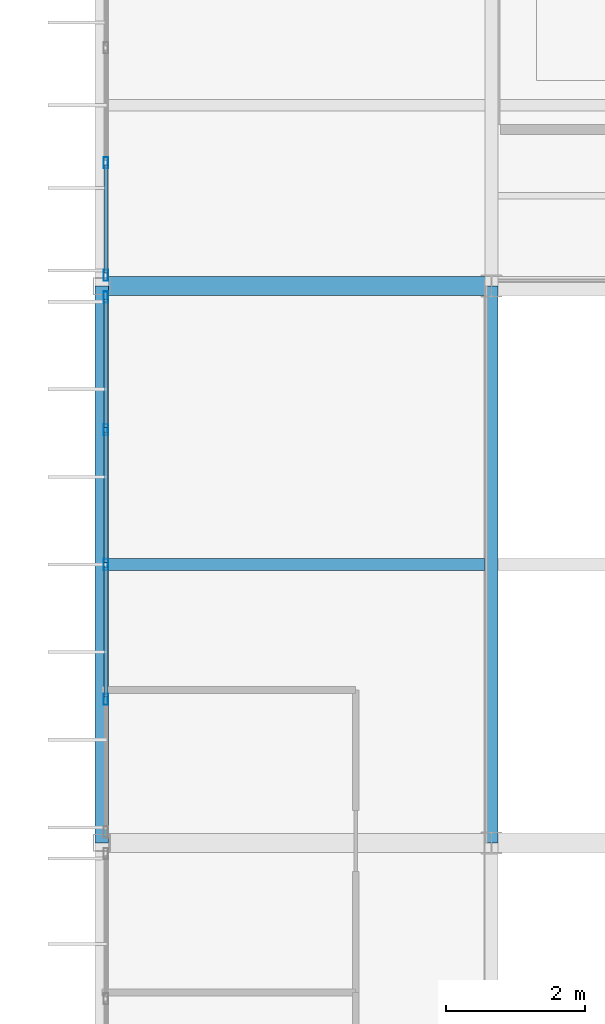
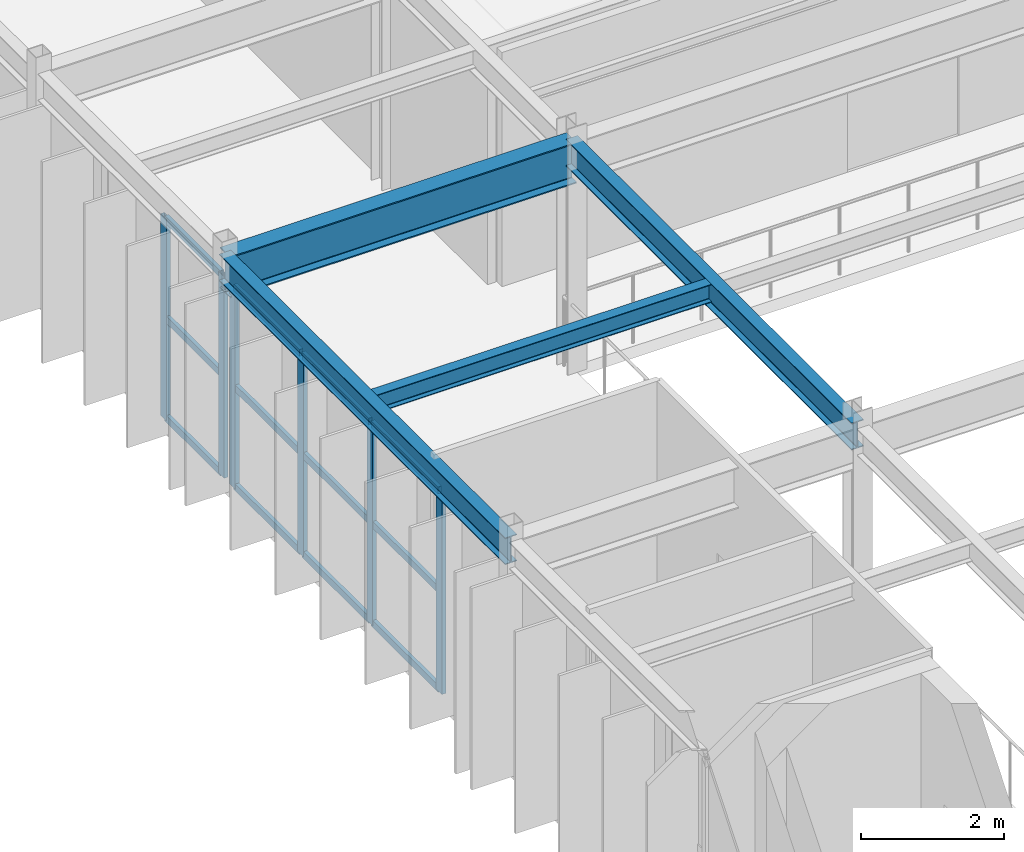
# One storey, part 36 of 148: 18 members, 4 beams, 2 elements without a shape of their own.
"""IFC4 building model written with IfcOpenShell, lengths in metres."""

import ifcopenshell
import ifcopenshell.guid

model = None  # the IFC model being written
_history = None  # IfcOwnerHistory: only IFC2X3 demands one
_inside = {}  # id of a spatial element -> (the spatial element, [elements in it])
_under = {}  # id of a project, library or spatial element -> (it, [spatial elements below it])
_declared = {}  # id of a project -> (the project, [libraries it declares])
_typed = {}  # id of a type object -> (the type object, [elements of that type])
_made_of = {}  # id of a material, layer set ... -> (it, [elements and type objects made of it])


def new_model(schema):
    """Start an empty IFC model of exactly this schema.

    Asked for "IFC4X3", IfcOpenShell would pick the latest addendum, in which some entities
    have other attributes; the version numbers below select the first issue.
    IFC2X3 requires an IfcOwnerHistory on every rooted entity: one is made here for all.
    """
    global model, _history
    if schema == "IFC4X3":
        model = ifcopenshell.file(schema_version=(4, 3, 0, 0))
    else:
        model = ifcopenshell.file(schema=schema)
    _inside.clear()
    _under.clear()
    _declared.clear()
    _typed.clear()
    _made_of.clear()
    _history = None
    if model.schema == "IFC2X3":
        org = make("IfcOrganization", Name="unknown")
        user = make(
            "IfcPersonAndOrganization",
            ThePerson=make("IfcPerson", FamilyName="unknown"),
            TheOrganization=org,
        )
        app = make(
            "IfcApplication",
            ApplicationDeveloper=org,
            Version="unknown",
            ApplicationFullName="unknown",
            ApplicationIdentifier="unknown",
        )
        _history = make(
            "IfcOwnerHistory",
            OwningUser=user,
            OwningApplication=app,
            ChangeAction="ADDED",
            CreationDate=0,
        )
    return model


def make(cls, **values):
    """One entity of the class cls with the attributes given. An attribute that is None is left unset."""
    return model.create_entity(
        cls, **{name: value for name, value in values.items() if value is not None}
    )


def rooted(cls, **values):
    """An entity with a GlobalId (a new one), such as an element, a storey or a relation."""
    return make(cls, GlobalId=ifcopenshell.guid.new(), OwnerHistory=_history, **values)


def si_unit(unit_type, name, prefix=None):
    """IfcSIUnit, for example si_unit("LENGTHUNIT", "METRE", prefix="MILLI")."""
    return make("IfcSIUnit", UnitType=unit_type, Prefix=prefix, Name=name)


def assignment(units):
    """IfcUnitAssignment: the units of a project."""
    return None if units is None else make("IfcUnitAssignment", Units=units)


def point(xyz):
    """IfcCartesianPoint."""
    return None if xyz is None else make("IfcCartesianPoint", Coordinates=xyz)


def direction(xyz):
    """IfcDirection."""
    return None if xyz is None else make("IfcDirection", DirectionRatios=xyz)


def frame(location, z_axis=None, x_axis=None):
    """IfcAxis2Placement3D, a coordinate frame: its origin and axes. An axis left out is left unset."""
    return make(
        "IfcAxis2Placement3D",
        Location=point(location),
        Axis=direction(z_axis),
        RefDirection=direction(x_axis),
    )


def frame_2d(location, x_axis=None):
    """IfcAxis2Placement2D, a coordinate frame in the plane: its origin and x axis."""
    return make(
        "IfcAxis2Placement2D", Location=point(location), RefDirection=direction(x_axis)
    )


def origin():
    """The frame at (0, 0, 0) with its axes left unset."""
    return frame((0.0, 0.0, 0.0))


def origin_2d():
    """The frame at (0, 0) in the plane with its x axis left unset."""
    return frame_2d((0.0, 0.0))


def place(relative_to, where):
    """IfcLocalPlacement: puts the frame where relative to a parent placement (None: the world)."""
    return make(
        "IfcLocalPlacement", PlacementRelTo=relative_to, RelativePlacement=where
    )


def context(
    kind, dimensions, precision=None, world=None, true_north=None, identifier=None
):
    """IfcGeometricRepresentationContext, for example the 3D "Model" context."""
    return make(
        "IfcGeometricRepresentationContext",
        ContextIdentifier=identifier,
        ContextType=kind,
        CoordinateSpaceDimension=dimensions,
        Precision=precision,
        WorldCoordinateSystem=world,
        TrueNorth=true_north,
    )


def subcontext(parent, identifier, kind, view, scale=None):
    """IfcGeometricRepresentationSubContext, for example "Body" below "Model"."""
    return make(
        "IfcGeometricRepresentationSubContext",
        ContextIdentifier=identifier,
        ContextType=kind,
        ParentContext=parent,
        TargetScale=scale,
        TargetView=view,
    )


def project(units=None, contexts=None):
    """IfcProject with its units and contexts."""
    return rooted(
        "IfcProject",
        Name="project",
        RepresentationContexts=contexts,
        UnitsInContext=assignment(units),
    )


def spatial(cls, under=None, at=None, **own):
    """A site, building, storey or space (cls), placed at a placement, below another one or the project."""
    s = rooted(cls, ObjectPlacement=at, **own)
    if under is not None:
        _under.setdefault(under.id(), (under, []))[1].append(s)
    return s


def profile(cls, at=None, kind="AREA", **sizes):
    """A parametric profile (cls). Its sizes go by their IFC names, for example OverallWidth=200.0."""
    return make(cls, ProfileType=kind, Position=at, **sizes)


def hollow_rectangle(**sizes):
    """IfcRectangleHollowProfileDef."""
    return profile("IfcRectangleHollowProfileDef", **sizes)


def i_section(**sizes):
    """IfcIShapeProfileDef."""
    return profile("IfcIShapeProfileDef", **sizes)


def extrude(swept, where, along, depth):
    """IfcExtrudedAreaSolid: the profile swept, set in the frame where, extruded along a direction by depth."""
    return make(
        "IfcExtrudedAreaSolid",
        SweptArea=swept,
        Position=where,
        ExtrudedDirection=direction(along),
        Depth=depth,
    )


def shape(context_of_items, identifier, shape_type, items):
    """IfcShapeRepresentation: the items that make up one representation, for example the "Body"."""
    return make(
        "IfcShapeRepresentation",
        ContextOfItems=context_of_items,
        RepresentationIdentifier=identifier,
        RepresentationType=shape_type,
        Items=items,
    )


def material(Name=None, Category=None):
    """IfcMaterial."""
    return make("IfcMaterial", Name=Name, Category=Category)


def material_profile(
    of_material, cross_section, Name=None, Category=None, Priority=None
):
    """IfcMaterialProfile: a cross section and its material."""
    return make(
        "IfcMaterialProfile",
        Name=Name,
        Material=of_material,
        Profile=cross_section,
        Priority=Priority,
        Category=Category,
    )


def profile_set(profiles, Name=None, composite=None):
    """IfcMaterialProfileSet."""
    return make(
        "IfcMaterialProfileSet",
        Name=Name,
        MaterialProfiles=profiles,
        CompositeProfile=composite,
    )


def made_of(thing, what):
    """Note that an element or type object is made of a material, layer set ...; save() writes the relation."""
    if what is not None:
        _made_of.setdefault(what.id(), (what, []))[1].append(thing)
    return thing


def type_object(cls, material=None, **own):
    """A type object (cls), such as IfcWallType, which elements share."""
    return made_of(rooted(cls, **own), material)


def element(
    cls,
    number,
    at=None,
    inside=None,
    cuts=None,
    type_object=None,
    material=None,
    context=None,
    identifier="Body",
    shape_type=None,
    held_by="IfcProductDefinitionShape",
    body=None,
    shapes=None,
    **own,
):
    """One element of the class cls, such as IfcWall. Its Tag is "e" and its number.

    at: its placement. inside: the storey or other place that contains it. cuts: it is an
    opening in that element (IfcRelVoidsElement). A single representation is given by context,
    identifier, shape_type and body (its items); several are given by shapes. held_by: the class
    of the entity that holds the representations. save() writes the other relations.
    """
    e = rooted(cls, Tag="e%d" % number, ObjectPlacement=at, **own)
    if body is not None:
        shapes = [shape(context, identifier, shape_type, body)]
    if shapes is not None:
        e.Representation = make(held_by, Representations=shapes)
    if inside is not None:
        _inside.setdefault(inside.id(), (inside, []))[1].append(e)
    if cuts is not None:
        rooted(
            "IfcRelVoidsElement", RelatingBuildingElement=cuts, RelatedOpeningElement=e
        )
    if type_object is not None:
        _typed.setdefault(type_object.id(), (type_object, []))[1].append(e)
    return made_of(e, material)


def aggregate(whole, parts):
    """IfcRelAggregates: a whole, such as a stair, and the parts it consists of."""
    return rooted("IfcRelAggregates", RelatingObject=whole, RelatedObjects=parts)


def save(model, path):
    """Write the relations noted so far, then the file.

    IfcRelAggregates (storeys below a building ...), IfcRelContainedInSpatialStructure (elements
    in a storey), IfcRelDefinesByType, IfcRelAssociatesMaterial and IfcRelDeclares: one each for
    every whole, place, type object, material and project.
    """
    for whole, parts in _under.values():
        aggregate(whole, parts)
    for where, things in _inside.values():
        rooted(
            "IfcRelContainedInSpatialStructure",
            RelatedElements=things,
            RelatingStructure=where,
        )
    for kind, things in _typed.values():
        rooted("IfcRelDefinesByType", RelatedObjects=things, RelatingType=kind)
    for what, things in _made_of.values():
        rooted("IfcRelAssociatesMaterial", RelatedObjects=things, RelatingMaterial=what)
    for by, libraries in _declared.values():
        rooted("IfcRelDeclares", RelatingContext=by, RelatedDefinitions=libraries)
    model.write(path)


model = new_model("IFC4")

# Units and contexts
model_context = context("Model", 3, precision=1e-05, world=origin(), true_north=direction((0.0, 1.0)))
body_context = subcontext(model_context, "Body", "Model", "MODEL_VIEW")
ifc_project = project(units=[si_unit("LENGTHUNIT", "METRE"), si_unit("AREAUNIT", "SQUARE_METRE"), si_unit("VOLUMEUNIT", "CUBIC_METRE"), si_unit("PLANEANGLEUNIT", "RADIAN"), si_unit("MASSUNIT", "GRAM", prefix="KILO")], contexts=[model_context])

# Site, building, storey
site_placement = place(None, origin())
site = spatial("IfcSite", under=ifc_project, at=site_placement, CompositionType="ELEMENT")
building_placement = place(site_placement, origin())
building = spatial("IfcBuilding", under=site, at=building_placement, Name="Karori Crest Natural Sciences Institute", CompositionType="ELEMENT")
storey_placement = place(building_placement, frame((0.0, 0.0, 4.89990234375)))
storey = spatial("IfcBuildingStorey", under=building, at=storey_placement, Name="L01", CompositionType="ELEMENT", Elevation=4.89990234375)

# Beams
ifc_material_1 = material(Name="Structural steel AS/NZS 3679.1 Grade 350", Category="steel")
ifc_material_profile_1 = material_profile(ifc_material_1, i_section(OverallWidth=0.27490234375, OverallDepth=0.699951171875, WebThickness=0.010009765625, FlangeThickness=0.02001953125, FilletRadius=0.013916015625, at=origin_2d()), Name="700WB150")
ifc_profile_set_1 = profile_set([ifc_material_profile_1], Name="Structural steel AS/NZS 3679.1 Grade 350")
beam_type_1 = type_object("IfcBeamType", Name="BT-03", PredefinedType="BEAM", material=ifc_profile_set_1)
beam_1_placement = place(storey_placement, frame((1.800048828125, 55.0, 3.570068359375), z_axis=(1.0, 0.0, 0.0), x_axis=(0.0, 1.0, 0.0)))
element("IfcBeam", 1, at=beam_1_placement, inside=storey, type_object=beam_type_1, Name="Beam B-1017", PredefinedType="BEAM", context=body_context, shape_type="SweptSolid", body=[
    extrude(i_section(OverallWidth=0.27490234375, OverallDepth=0.699951171875, WebThickness=0.010009765625, FlangeThickness=0.02001953125, FilletRadius=0.013916015625, at=origin_2d()), origin(), (0.0, 0.0, 1.0), 5.599853515625),
])
ifc_material_profile_2 = material_profile(ifc_material_1, i_section(OverallWidth=0.19091796875, OverallDepth=0.4599609375, WebThickness=0.010009765625, FlangeThickness=0.01611328125, FilletRadius=0.010986328125, at=origin_2d()), Name="460UB82.1")
ifc_profile_set_2 = profile_set([ifc_material_profile_2], Name="Structural steel AS/NZS 3679.1 Grade 350")
beam_type_2 = type_object("IfcBeamType", Name="BT-06", PredefinedType="BEAM", material=ifc_profile_set_2)
beam_2_placement = place(storey_placement, frame((7.39990234375, 47.0, 3.690185546875), z_axis=(0.0, 1.0, 0.0), x_axis=(-1.0, 0.0, 0.0)))
element("IfcBeam", 2, at=beam_2_placement, inside=storey, type_object=beam_type_2, Name="Beam B-1038", PredefinedType="BEAM", context=body_context, shape_type="SweptSolid", body=[
    extrude(i_section(OverallWidth=0.19091796875, OverallDepth=0.4599609375, WebThickness=0.010009765625, FlangeThickness=0.01611328125, FilletRadius=0.010986328125, at=origin_2d()), origin(), (0.0, 0.0, 1.0), 8.0),
])
ifc_material_profile_3 = material_profile(ifc_material_1, i_section(OverallWidth=0.19091796875, OverallDepth=0.4599609375, WebThickness=0.010009765625, FlangeThickness=0.01611328125, FilletRadius=0.010986328125, at=origin_2d()), Name="460UB82.1")
ifc_profile_set_3 = profile_set([ifc_material_profile_3], Name="Structural steel AS/NZS 3679.1 Grade 350")
beam_type_3 = type_object("IfcBeamType", Name="BT-06-EL", PredefinedType="BEAM", material=ifc_profile_set_3)
beam_3_placement = place(storey_placement, frame((1.800048828125, 47.0, 3.690185546875), z_axis=(0.0, 1.0, 0.0), x_axis=(-1.0, 0.0, 0.0)))
element("IfcBeam", 3, at=beam_3_placement, inside=storey, type_object=beam_type_3, Name="Beam B-1031", PredefinedType="BEAM", context=body_context, shape_type="SweptSolid", body=[
    extrude(i_section(OverallWidth=0.19091796875, OverallDepth=0.4599609375, WebThickness=0.010009765625, FlangeThickness=0.01611328125, FilletRadius=0.010986328125, at=origin_2d()), origin(), (0.0, 0.0, 1.0), 8.0),
])
ifc_material_profile_4 = material_profile(ifc_material_1, i_section(OverallWidth=0.166015625, OverallDepth=0.306884765625, WebThickness=0.006591796875, FlangeThickness=0.01171875, FilletRadius=0.010986328125, at=origin_2d()), Name="310UB46.2")
ifc_profile_set_4 = profile_set([ifc_material_profile_4], Name="Structural steel AS/NZS 3679.1 Grade 350")
beam_type_4 = type_object("IfcBeamType", Name="BT-09", PredefinedType="BEAM", material=ifc_profile_set_4)
beam_4_placement = place(storey_placement, frame((1.8955078125, 51.0, 3.7666015625), z_axis=(1.0, 0.0, 0.0), x_axis=(0.0, 1.0, 0.0)))
element("IfcBeam", 4, at=beam_4_placement, inside=storey, type_object=beam_type_4, Name="Beam B-1057", PredefinedType="BEAM", context=body_context, shape_type="SweptSolid", body=[
    extrude(i_section(OverallWidth=0.166015625, OverallDepth=0.306884765625, WebThickness=0.006591796875, FlangeThickness=0.01171875, FilletRadius=0.010986328125, at=origin_2d()), origin(), (0.0, 0.0, 1.0), 5.408935546875),
])

# Curtain wall, members
ifc_material_2 = material(Name="Anodised architectural aluminium 6063-T6", Category="aluminium")
curtain_wall_type = type_object("IfcCurtainWallType", Name="CWT-17", PredefinedType="NOTDEFINED", material=ifc_material_2)
curtain_wall_1_placement = place(storey_placement, origin())
curtain_wall_1 = element("IfcCurtainWall", 5, at=curtain_wall_1_placement, inside=storey, type_object=curtain_wall_type, Name="Curtain wall CW-0263", PredefinedType="NOTDEFINED")
ifc_material_profile_5 = material_profile(ifc_material_2, hollow_rectangle(XDim=0.06494140625, YDim=0.159912109375, WallThickness=0.00390625, at=origin_2d()), Name="CWM160x65x4")
ifc_profile_set_5 = profile_set([ifc_material_profile_5], Name="Anodised architectural aluminium 6063-T6")
member_type_1 = type_object("IfcMemberType", Name="CWM-01", PredefinedType="MULLION", material=ifc_profile_set_5)
member_1_placement = place(storey_placement, frame((1.860107421875, 49.0615234375, 0.0), z_axis=(0.0, 0.0, 1.0), x_axis=(-1.0, 0.0, 0.0)))
member_1 = element("IfcMember", 6, at=member_1_placement, type_object=member_type_1, Name="CW-0263 mullion 2", PredefinedType="MULLION", context=body_context, shape_type="SweptSolid", body=[
    extrude(hollow_rectangle(XDim=0.06494140625, YDim=0.159912109375, WallThickness=0.00390625, at=origin_2d()), origin(), (0.0, 0.0, 1.0), 3.445068359375),
])
member_2_placement = place(storey_placement, frame((1.860107421875, 51.0, 0.0), z_axis=(0.0, 0.0, 1.0), x_axis=(-1.0, 0.0, 0.0)))
member_2 = element("IfcMember", 7, at=member_2_placement, type_object=member_type_1, Name="CW-0263 mullion 3", PredefinedType="MULLION", context=body_context, shape_type="SweptSolid", body=[
    extrude(hollow_rectangle(XDim=0.06494140625, YDim=0.159912109375, WallThickness=0.00390625, at=origin_2d()), origin(), (0.0, 0.0, 1.0), 3.445068359375),
])
member_3_placement = place(storey_placement, frame((1.860107421875, 52.9384765625, 0.0), z_axis=(0.0, 0.0, 1.0), x_axis=(-1.0, 0.0, 0.0)))
member_3 = element("IfcMember", 8, at=member_3_placement, type_object=member_type_1, Name="CW-0263 mullion 4", PredefinedType="MULLION", context=body_context, shape_type="SweptSolid", body=[
    extrude(hollow_rectangle(XDim=0.06494140625, YDim=0.159912109375, WallThickness=0.00390625, at=origin_2d()), origin(), (0.0, 0.0, 1.0), 3.445068359375),
])
member_4_placement = place(storey_placement, frame((1.860107421875, 54.844482421875, 0.0), z_axis=(0.0, 0.0, 1.0), x_axis=(-1.0, 0.0, 0.0)))
member_4 = element("IfcMember", 9, at=member_4_placement, type_object=member_type_1, Name="CW-0263 mullion 5", PredefinedType="MULLION", context=body_context, shape_type="SweptSolid", body=[
    extrude(hollow_rectangle(XDim=0.06494140625, YDim=0.159912109375, WallThickness=0.00390625, at=origin_2d()), origin(), (0.0, 0.0, 1.0), 3.445068359375),
])

curtain_wall_2_placement = place(storey_placement, origin())
curtain_wall_2 = element("IfcCurtainWall", 10, at=curtain_wall_2_placement, inside=storey, type_object=curtain_wall_type, Name="Curtain wall CW-0264", PredefinedType="NOTDEFINED")
member_5_placement = place(storey_placement, frame((1.860107421875, 55.155517578125, 0.0), z_axis=(0.0, 0.0, 1.0), x_axis=(-1.0, 0.0, 0.0)))
member_5 = element("IfcMember", 11, at=member_5_placement, type_object=member_type_1, Name="CW-0264 mullion 1", PredefinedType="MULLION", context=body_context, shape_type="SweptSolid", body=[
    extrude(hollow_rectangle(XDim=0.06494140625, YDim=0.159912109375, WallThickness=0.00390625, at=origin_2d()), origin(), (0.0, 0.0, 1.0), 3.445068359375),
])
member_6_placement = place(storey_placement, frame((1.860107421875, 56.7744140625, 0.0), z_axis=(0.0, 0.0, 1.0), x_axis=(-1.0, 0.0, 0.0)))
member_6 = element("IfcMember", 12, at=member_6_placement, type_object=member_type_1, Name="CW-0264 mullion 2", PredefinedType="MULLION", context=body_context, shape_type="SweptSolid", body=[
    extrude(hollow_rectangle(XDim=0.06494140625, YDim=0.159912109375, WallThickness=0.00390625, at=origin_2d()), origin(), (0.0, 0.0, 1.0), 3.445068359375),
])

# Member
ifc_material_profile_6 = material_profile(ifc_material_2, hollow_rectangle(XDim=0.06005859375, YDim=0.1201171875, WallThickness=0.00390625, at=origin_2d()), Name="CWT120x60x4")
ifc_profile_set_6 = profile_set([ifc_material_profile_6], Name="Anodised architectural aluminium 6063-T6")
member_type_2 = type_object("IfcMemberType", Name="CWT-TR1", PredefinedType="USERDEFINED", material=ifc_profile_set_6)
member_7_placement = place(storey_placement, frame((1.860107421875, 49.093994140625, 0.030029296875), z_axis=(0.0, 1.0, 0.0), x_axis=(-1.0, 0.0, 0.0)))
member_7 = element("IfcMember", 13, at=member_7_placement, type_object=member_type_2, Name="CW-0263 transom 2.1", ObjectType="TRANSOM", PredefinedType="USERDEFINED", context=body_context, shape_type="SweptSolid", body=[
    extrude(hollow_rectangle(XDim=0.06005859375, YDim=0.1201171875, WallThickness=0.00390625, at=origin_2d()), origin(), (0.0, 0.0, 1.0), 1.87353515625),
])

member_8_placement = place(storey_placement, frame((1.860107421875, 49.093994140625, 1.72265625), z_axis=(0.0, 1.0, 0.0), x_axis=(-1.0, 0.0, 0.0)))
member_8 = element("IfcMember", 14, at=member_8_placement, type_object=member_type_2, Name="CW-0263 transom 2.2", ObjectType="TRANSOM", PredefinedType="USERDEFINED", context=body_context, shape_type="SweptSolid", body=[
    extrude(hollow_rectangle(XDim=0.06005859375, YDim=0.1201171875, WallThickness=0.00390625, at=origin_2d()), origin(), (0.0, 0.0, 1.0), 1.87353515625),
])

member_9_placement = place(storey_placement, frame((1.860107421875, 49.093994140625, 3.4150390625), z_axis=(0.0, 1.0, 0.0), x_axis=(-1.0, 0.0, 0.0)))
member_9 = element("IfcMember", 15, at=member_9_placement, type_object=member_type_2, Name="CW-0263 transom 2.3", ObjectType="TRANSOM", PredefinedType="USERDEFINED", context=body_context, shape_type="SweptSolid", body=[
    extrude(hollow_rectangle(XDim=0.06005859375, YDim=0.1201171875, WallThickness=0.00390625, at=origin_2d()), origin(), (0.0, 0.0, 1.0), 1.87353515625),
])

member_10_placement = place(storey_placement, frame((1.860107421875, 51.032470703125, 0.030029296875), z_axis=(0.0, 1.0, 0.0), x_axis=(-1.0, 0.0, 0.0)))
member_10 = element("IfcMember", 16, at=member_10_placement, type_object=member_type_2, Name="CW-0263 transom 3.1", ObjectType="TRANSOM", PredefinedType="USERDEFINED", context=body_context, shape_type="SweptSolid", body=[
    extrude(hollow_rectangle(XDim=0.06005859375, YDim=0.1201171875, WallThickness=0.00390625, at=origin_2d()), origin(), (0.0, 0.0, 1.0), 1.87353515625),
])

member_11_placement = place(storey_placement, frame((1.860107421875, 51.032470703125, 1.72265625), z_axis=(0.0, 1.0, 0.0), x_axis=(-1.0, 0.0, 0.0)))
member_11 = element("IfcMember", 17, at=member_11_placement, type_object=member_type_2, Name="CW-0263 transom 3.2", ObjectType="TRANSOM", PredefinedType="USERDEFINED", context=body_context, shape_type="SweptSolid", body=[
    extrude(hollow_rectangle(XDim=0.06005859375, YDim=0.1201171875, WallThickness=0.00390625, at=origin_2d()), origin(), (0.0, 0.0, 1.0), 1.87353515625),
])

member_12_placement = place(storey_placement, frame((1.860107421875, 51.032470703125, 3.4150390625), z_axis=(0.0, 1.0, 0.0), x_axis=(-1.0, 0.0, 0.0)))
member_12 = element("IfcMember", 18, at=member_12_placement, type_object=member_type_2, Name="CW-0263 transom 3.3", ObjectType="TRANSOM", PredefinedType="USERDEFINED", context=body_context, shape_type="SweptSolid", body=[
    extrude(hollow_rectangle(XDim=0.06005859375, YDim=0.1201171875, WallThickness=0.00390625, at=origin_2d()), origin(), (0.0, 0.0, 1.0), 1.87353515625),
])

member_13_placement = place(storey_placement, frame((1.860107421875, 52.970947265625, 0.030029296875), z_axis=(0.0, 1.0, 0.0), x_axis=(-1.0, 0.0, 0.0)))
member_13 = element("IfcMember", 19, at=member_13_placement, type_object=member_type_2, Name="CW-0263 transom 4.1", ObjectType="TRANSOM", PredefinedType="USERDEFINED", context=body_context, shape_type="SweptSolid", body=[
    extrude(hollow_rectangle(XDim=0.06005859375, YDim=0.1201171875, WallThickness=0.00390625, at=origin_2d()), origin(), (0.0, 0.0, 1.0), 1.841064453125),
])

member_14_placement = place(storey_placement, frame((1.860107421875, 52.970947265625, 1.72265625), z_axis=(0.0, 1.0, 0.0), x_axis=(-1.0, 0.0, 0.0)))
member_14 = element("IfcMember", 20, at=member_14_placement, type_object=member_type_2, Name="CW-0263 transom 4.2", ObjectType="TRANSOM", PredefinedType="USERDEFINED", context=body_context, shape_type="SweptSolid", body=[
    extrude(hollow_rectangle(XDim=0.06005859375, YDim=0.1201171875, WallThickness=0.00390625, at=origin_2d()), origin(), (0.0, 0.0, 1.0), 1.841064453125),
])

member_15_placement = place(storey_placement, frame((1.860107421875, 52.970947265625, 3.4150390625), z_axis=(0.0, 1.0, 0.0), x_axis=(-1.0, 0.0, 0.0)))
member_15 = element("IfcMember", 21, at=member_15_placement, type_object=member_type_2, Name="CW-0263 transom 4.3", ObjectType="TRANSOM", PredefinedType="USERDEFINED", context=body_context, shape_type="SweptSolid", body=[
    extrude(hollow_rectangle(XDim=0.06005859375, YDim=0.1201171875, WallThickness=0.00390625, at=origin_2d()), origin(), (0.0, 0.0, 1.0), 1.841064453125),
])

aggregate(curtain_wall_1, [member_1, member_2, member_3, member_4, member_7, member_8, member_9, member_10, member_11, member_12, member_13, member_14, member_15])

member_16_placement = place(storey_placement, frame((1.860107421875, 55.18798828125, 0.030029296875), z_axis=(0.0, 1.0, 0.0), x_axis=(-1.0, 0.0, 0.0)))
member_16 = element("IfcMember", 22, at=member_16_placement, type_object=member_type_2, Name="CW-0264 transom 1.1", ObjectType="TRANSOM", PredefinedType="USERDEFINED", context=body_context, shape_type="SweptSolid", body=[
    extrude(hollow_rectangle(XDim=0.06005859375, YDim=0.1201171875, WallThickness=0.00390625, at=origin_2d()), origin(), (0.0, 0.0, 1.0), 1.553955078125),
])

member_17_placement = place(storey_placement, frame((1.860107421875, 55.18798828125, 1.72265625), z_axis=(0.0, 1.0, 0.0), x_axis=(-1.0, 0.0, 0.0)))
member_17 = element("IfcMember", 23, at=member_17_placement, type_object=member_type_2, Name="CW-0264 transom 1.2", ObjectType="TRANSOM", PredefinedType="USERDEFINED", context=body_context, shape_type="SweptSolid", body=[
    extrude(hollow_rectangle(XDim=0.06005859375, YDim=0.1201171875, WallThickness=0.00390625, at=origin_2d()), origin(), (0.0, 0.0, 1.0), 1.553955078125),
])

member_18_placement = place(storey_placement, frame((1.860107421875, 55.18798828125, 3.4150390625), z_axis=(0.0, 1.0, 0.0), x_axis=(-1.0, 0.0, 0.0)))
member_18 = element("IfcMember", 24, at=member_18_placement, type_object=member_type_2, Name="CW-0264 transom 1.3", ObjectType="TRANSOM", PredefinedType="USERDEFINED", context=body_context, shape_type="SweptSolid", body=[
    extrude(hollow_rectangle(XDim=0.06005859375, YDim=0.1201171875, WallThickness=0.00390625, at=origin_2d()), origin(), (0.0, 0.0, 1.0), 1.553955078125),
])

aggregate(curtain_wall_2, [member_5, member_6, member_16, member_17, member_18])

save(model, "model.ifc")
